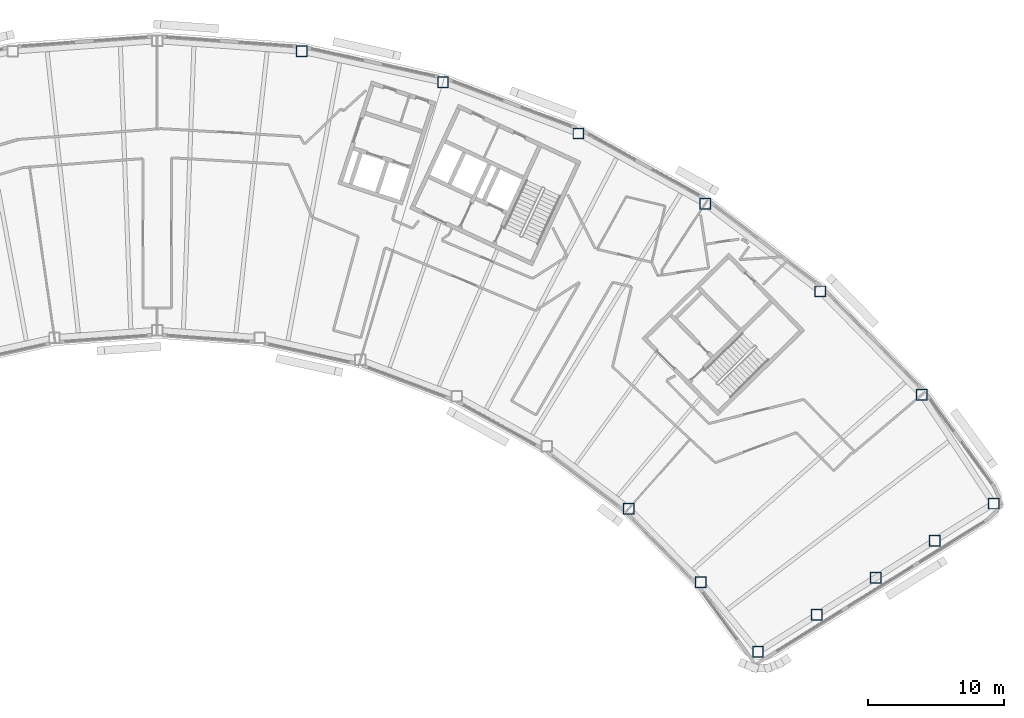
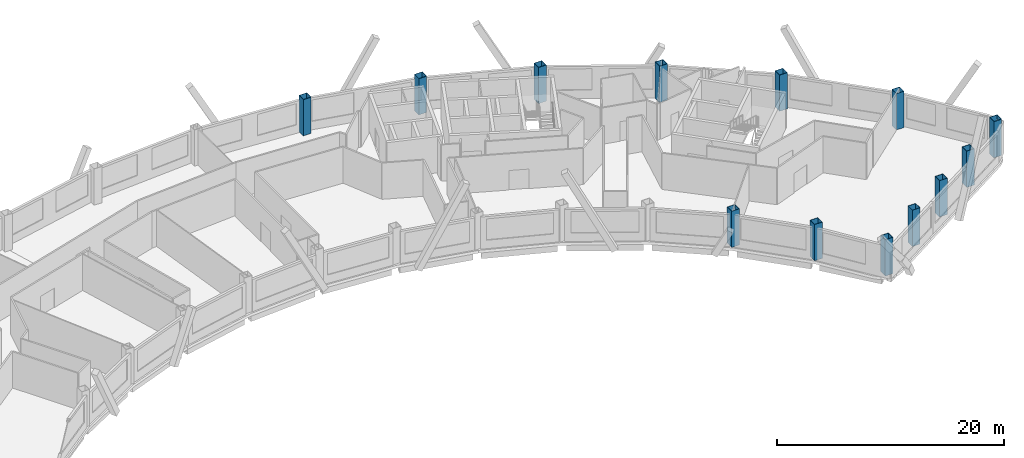
# One storey, part 2 of 13: 13 columns.
"""IFC4 building model written with IfcOpenShell, lengths in metres."""

from ifc_helpers import new_model, si_unit, direction, frame, origin, origin_2d, place, context, subcontext, project, spatial, hollow_rectangle, extrude, material, material_profile, profile_set, type_object, element, save


model = new_model("IFC4")

# Units and contexts
model_context = context("Model", 3, precision=1e-05, world=origin(), true_north=direction((0.0, 1.0)))
body_context = subcontext(model_context, "Body", "Model", "MODEL_VIEW")
ifc_project = project(units=[si_unit("LENGTHUNIT", "METRE"), si_unit("AREAUNIT", "SQUARE_METRE"), si_unit("VOLUMEUNIT", "CUBIC_METRE"), si_unit("PLANEANGLEUNIT", "RADIAN"), si_unit("MASSUNIT", "GRAM", prefix="KILO")], contexts=[model_context])

# Site, building, storey
site_placement = place(None, origin())
site = spatial("IfcSite", under=ifc_project, at=site_placement, CompositionType="ELEMENT")
building_placement = place(site_placement, origin())
building = spatial("IfcBuilding", under=site, at=building_placement, Name="Tuul Gate Civic Tower", CompositionType="ELEMENT")
storey_placement = place(building_placement, frame((0.0, 0.0, 302.60009765625)))
storey = spatial("IfcBuildingStorey", under=building, at=storey_placement, Name="Level 68", CompositionType="ELEMENT", Elevation=302.60009765625)

# Columns
ifc_material = material(Name="Steel S355", Category="steel")
ifc_material_profile = material_profile(ifc_material, hollow_rectangle(XDim=0.800048828125, YDim=0.800048828125, WallThickness=0.031982421875, at=origin_2d()), Name="BOX800x800x32")
ifc_profile_set = profile_set([ifc_material_profile], Name="Steel S355")
column_type = type_object("IfcColumnType", Name="STR-COLUMN-BOX800x800x32", PredefinedType="COLUMN", material=ifc_profile_set)
for number, where, z_axis, x_axis, name in (
    (1, (68.458984375, -24.89697265625, 0.0), (0.0, 0.0, 1.0), (1.0, 0.0, 0.0), "Column"),
    (2, (63.159912109375, -16.884033203125, 0.0), (0.0, 0.0, 1.0), (1.0, 0.0, 0.0), "Column"),
    (3, (55.68603515625, -9.259033203125, 0.0), (0.0, 0.0, 1.0), (1.0, 0.0, 0.0), "Column"),
    (4, (47.19091796875, -2.791015625, 0.0), (0.0, 0.0, 1.0), (1.0, 0.0, 0.0), "Column"),
    (5, (37.85205078125, 2.385009765625, 0.0), (0.0, 0.0, 1.0), (1.0, 0.0, 0.0), "Column"),
    (6, (27.864990234375, 6.162109375, 0.0), (0.0, 0.0, 1.0), (1.0, 0.0, 0.0), "Column"),
    (7, (17.43798828125, 8.4599609375, 0.0), (0.0, 0.0, 1.0), (1.0, 0.0, 0.0), "Column"),
    (8, (41.554931640625, -25.27099609375, 0.0), (0.0, 0.0, 1.0), (1.0, 0.0, 0.0), "Column"),
    (9, (46.868896484375, -30.693115234375, 0.0), (0.0, 0.0, 1.0), (1.0, 0.0, 0.0), "Column"),
    (10, (51.089111328125, -35.8349609375, 0.0), (0.0, 0.0, 1.0), (1.0, 0.0, 0.0), "Column"),
    (11, (55.431884765625, -33.10009765625, 0.0), (0.0, 0.0, 1.0), (1.0, 0.0, 0.0), "Column"),
    (12, (59.77392578125, -30.365966796875, 0.0), (0.0, 0.0, 1.0), (1.0, 0.0, 0.0), "Column"),
    (13, (64.116943359375, -27.631103515625, 0.0), (0.0, 0.0, 1.0), (1.0, 0.0, 0.0), "Column"),
):
    element("IfcColumn", number, at=place(storey_placement, frame(where, z_axis=z_axis, x_axis=x_axis)), inside=storey, type_object=column_type, Name=name, PredefinedType="COLUMN", context=body_context, shape_type="SweptSolid", body=[
        extrude(hollow_rectangle(XDim=0.800048828125, YDim=0.800048828125, WallThickness=0.031982421875, at=origin_2d()), origin(), (0.0, 0.0, 1.0), 3.89990234375),
    ])

save(model, "model.ifc")
